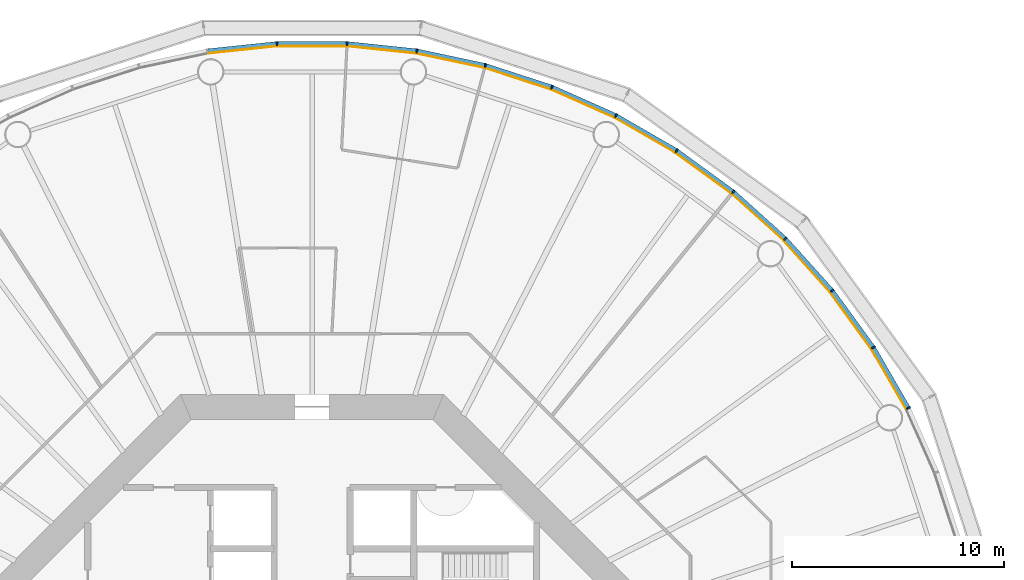
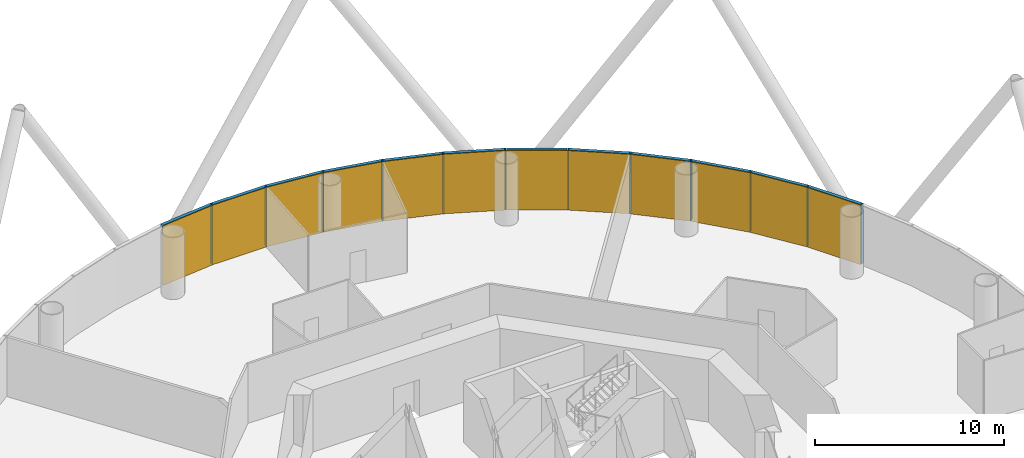
# One storey, part 12 of 13: 24 members, 4 curtain walls.
"""IFC4 building model written with IfcOpenShell, lengths in metres."""

from ifc_helpers import new_model, si_unit, direction, frame, origin, origin_2d, place, context, subcontext, project, spatial, polyline, rectangle, outline, extrude, material, layer, layer_set, material_profile, profile_set, type_object, element, aggregate, save


model = new_model("IFC4")

# Units and contexts
model_context = context("Model", 3, precision=1e-05, world=origin(), true_north=direction((0.0, 1.0)))
body_context = subcontext(model_context, "Body", "Model", "MODEL_VIEW")
ifc_project = project(units=[si_unit("LENGTHUNIT", "METRE"), si_unit("AREAUNIT", "SQUARE_METRE"), si_unit("VOLUMEUNIT", "CUBIC_METRE"), si_unit("PLANEANGLEUNIT", "RADIAN"), si_unit("MASSUNIT", "GRAM", prefix="KILO")], contexts=[model_context])

# Member
ifc_material_1 = material(Name="Anodised aluminium", Category="aluminium")
ifc_material_profile_1 = material_profile(ifc_material_1, rectangle(XDim=0.070068359375, YDim=0.199951171875, at=origin_2d()), Name="Mullion 70 x 200 mm anodised aluminium")
ifc_profile_set_1 = profile_set([ifc_material_profile_1], Name="Anodised aluminium")
member_type_1 = type_object("IfcMemberType", Name="Mullion 70 x 200 mm anodised aluminium", PredefinedType="MULLION", material=ifc_profile_set_1)
site_placement = place(None, origin())
building_placement = place(site_placement, origin())
storey_placement = place(building_placement, frame((0.0, 0.0, 116.0)))
member_1_placement = place(storey_placement, frame((118.15576171875, 94.34619140625, 0.0), z_axis=(0.0, 0.0, 1.0), x_axis=(-0.45399049974, 0.891006524188, 0.0)))
member_1 = element("IfcMember", 1, at=member_1_placement, type_object=member_type_1, Name="MULLION L26-03", PredefinedType="MULLION", context=body_context, shape_type="SweptSolid", body=[
    extrude(rectangle(XDim=0.070068359375, YDim=0.199951171875, at=origin_2d()), origin(), (0.0, 0.0, 1.0), 3.85009765625),
])

member_2_placement = place(storey_placement, frame((116.501953125, 97.210693359375, 0.0), z_axis=(0.0, 0.0, 1.0), x_axis=(-0.544639035015, 0.838670567945, 0.0)))
member_2 = element("IfcMember", 2, at=member_2_placement, type_object=member_type_1, Name="MULLION L26-04", PredefinedType="MULLION", context=body_context, shape_type="SweptSolid", body=[
    extrude(rectangle(XDim=0.070068359375, YDim=0.199951171875, at=origin_2d()), origin(), (0.0, 0.0, 1.0), 3.85009765625),
])

member_3_placement = place(storey_placement, frame((114.557861328125, 99.886474609375, 0.0), z_axis=(0.0, 0.0, 1.0), x_axis=(-0.62932039105, 0.777145961457, 0.0)))
member_3 = element("IfcMember", 3, at=member_3_placement, type_object=member_type_1, Name="MULLION L26-05", PredefinedType="MULLION", context=body_context, shape_type="SweptSolid", body=[
    extrude(rectangle(XDim=0.070068359375, YDim=0.199951171875, at=origin_2d()), origin(), (0.0, 0.0, 1.0), 3.85009765625),
])

member_4_placement = place(storey_placement, frame((112.344482421875, 102.344482421875, 0.0), z_axis=(0.0, 0.0, 1.0), x_axis=(-0.707106781187, 0.707106781187, 0.0)))
member_4 = element("IfcMember", 4, at=member_4_placement, type_object=member_type_1, Name="MULLION L26-06", PredefinedType="MULLION", context=body_context, shape_type="SweptSolid", body=[
    extrude(rectangle(XDim=0.070068359375, YDim=0.199951171875, at=origin_2d()), origin(), (0.0, 0.0, 1.0), 3.85009765625),
])

member_5_placement = place(storey_placement, frame((109.886474609375, 104.557861328125, 0.0), z_axis=(0.0, 0.0, 1.0), x_axis=(-0.777145961457, 0.62932039105, 0.0)))
member_5 = element("IfcMember", 5, at=member_5_placement, type_object=member_type_1, Name="MULLION L26-07", PredefinedType="MULLION", context=body_context, shape_type="SweptSolid", body=[
    extrude(rectangle(XDim=0.070068359375, YDim=0.199951171875, at=origin_2d()), origin(), (0.0, 0.0, 1.0), 3.85009765625),
])

member_6_placement = place(storey_placement, frame((107.210693359375, 106.501953125, 0.0), z_axis=(0.0, 0.0, 1.0), x_axis=(-0.838670567945, 0.544639035015, 0.0)))
member_6 = element("IfcMember", 6, at=member_6_placement, type_object=member_type_1, Name="MULLION L26-08", PredefinedType="MULLION", context=body_context, shape_type="SweptSolid", body=[
    extrude(rectangle(XDim=0.070068359375, YDim=0.199951171875, at=origin_2d()), origin(), (0.0, 0.0, 1.0), 3.85009765625),
])

member_7_placement = place(storey_placement, frame((104.34619140625, 108.15576171875, 0.0), z_axis=(0.0, 0.0, 1.0), x_axis=(-0.891006524188, 0.45399049974, 0.0)))
member_7 = element("IfcMember", 7, at=member_7_placement, type_object=member_type_1, Name="MULLION L26-09", PredefinedType="MULLION", context=body_context, shape_type="SweptSolid", body=[
    extrude(rectangle(XDim=0.070068359375, YDim=0.199951171875, at=origin_2d()), origin(), (0.0, 0.0, 1.0), 3.85009765625),
])

member_8_placement = place(storey_placement, frame((101.324462890625, 109.501220703125, 0.0), z_axis=(0.0, 0.0, 1.0), x_axis=(-0.933580426497, 0.358367949545, 0.0)))
member_8 = element("IfcMember", 8, at=member_8_placement, type_object=member_type_1, Name="MULLION L26-10", PredefinedType="MULLION", context=body_context, shape_type="SweptSolid", body=[
    extrude(rectangle(XDim=0.070068359375, YDim=0.199951171875, at=origin_2d()), origin(), (0.0, 0.0, 1.0), 3.85009765625),
])

member_9_placement = place(storey_placement, frame((98.1787109375, 110.523193359375, 0.0), z_axis=(0.0, 0.0, 1.0), x_axis=(-0.965925826289, 0.258819045103, 0.0)))
member_9 = element("IfcMember", 9, at=member_9_placement, type_object=member_type_1, Name="MULLION L26-11", PredefinedType="MULLION", context=body_context, shape_type="SweptSolid", body=[
    extrude(rectangle(XDim=0.070068359375, YDim=0.199951171875, at=origin_2d()), origin(), (0.0, 0.0, 1.0), 3.85009765625),
])

member_10_placement = place(storey_placement, frame((94.943359375, 111.2109375, 0.0), z_axis=(0.0, 0.0, 1.0), x_axis=(-0.987688340595, 0.15643446504, 0.0)))
member_10 = element("IfcMember", 10, at=member_10_placement, type_object=member_type_1, Name="MULLION L26-12", PredefinedType="MULLION", context=body_context, shape_type="SweptSolid", body=[
    extrude(rectangle(XDim=0.070068359375, YDim=0.199951171875, at=origin_2d()), origin(), (0.0, 0.0, 1.0), 3.85009765625),
])

member_11_placement = place(storey_placement, frame((91.65380859375, 111.556640625, 0.0), z_axis=(0.0, 0.0, 1.0), x_axis=(-0.998629534755, 0.052335956243, 0.0)))
member_11 = element("IfcMember", 11, at=member_11_placement, type_object=member_type_1, Name="MULLION L26-13", PredefinedType="MULLION", context=body_context, shape_type="SweptSolid", body=[
    extrude(rectangle(XDim=0.070068359375, YDim=0.199951171875, at=origin_2d()), origin(), (0.0, 0.0, 1.0), 3.85009765625),
])

member_12_placement = place(storey_placement, frame((88.34619140625, 111.556640625, 0.0), z_axis=(0.0, 0.0, 1.0), x_axis=(-0.998629534755, -0.052335956243, 0.0)))
member_12 = element("IfcMember", 12, at=member_12_placement, type_object=member_type_1, Name="MULLION L26-14", PredefinedType="MULLION", context=body_context, shape_type="SweptSolid", body=[
    extrude(rectangle(XDim=0.070068359375, YDim=0.199951171875, at=origin_2d()), origin(), (0.0, 0.0, 1.0), 3.85009765625),
])

ifc_material_2 = material(Name="Anodised aluminium", Category="aluminium")
ifc_material_profile_2 = material_profile(ifc_material_2, rectangle(XDim=0.199951171875, YDim=0.18994140625, at=origin_2d()), Name="Transom 190 x 200 mm anodised aluminium")
ifc_profile_set_2 = profile_set([ifc_material_profile_2], Name="Anodised aluminium")
member_type_2 = type_object("IfcMemberType", Name="Transom 190 x 200 mm anodised aluminium", PredefinedType="USERDEFINED", material=ifc_profile_set_2)
member_13_placement = place(storey_placement, frame((118.1357421875, 94.381103515625, 3.7548828125), z_axis=(-0.500004055213, 0.866023062494, 0.0), x_axis=(-0.866023062494, -0.500004055213, 0.0)))
member_13 = element("IfcMember", 13, at=member_13_placement, type_object=member_type_2, Name="TRANSOM L26-03", ObjectType="TRANSOM", PredefinedType="USERDEFINED", context=body_context, shape_type="SweptSolid", body=[
    extrude(rectangle(XDim=0.199951171875, YDim=0.18994140625, at=origin_2d()), origin(), (0.0, 0.0, 1.0), 3.22705078125),
])

member_14_placement = place(storey_placement, frame((116.478515625, 97.2431640625, 3.7548828125), z_axis=(-0.587802790201, 0.809004252048, 0.0), x_axis=(-0.809004252048, -0.587802790201, 0.0)))
member_14 = element("IfcMember", 14, at=member_14_placement, type_object=member_type_2, Name="TRANSOM L26-04", ObjectType="TRANSOM", PredefinedType="USERDEFINED", context=body_context, shape_type="SweptSolid", body=[
    extrude(rectangle(XDim=0.199951171875, YDim=0.18994140625, at=origin_2d()), origin(), (0.0, 0.0, 1.0), 3.227294921875),
])

member_15_placement = place(storey_placement, frame((114.531005859375, 99.91650390625, 3.7548828125), z_axis=(-0.669144438484, 0.743132370743, 0.0), x_axis=(-0.743132370743, -0.669144438484, 0.0)))
member_15 = element("IfcMember", 15, at=member_15_placement, type_object=member_type_2, Name="TRANSOM L26-05", ObjectType="TRANSOM", PredefinedType="USERDEFINED", context=body_context, shape_type="SweptSolid", body=[
    extrude(rectangle(XDim=0.199951171875, YDim=0.18994140625, at=origin_2d()), origin(), (0.0, 0.0, 1.0), 3.22705078125),
])

member_16_placement = place(storey_placement, frame((112.314697265625, 102.37158203125, 3.7548828125), z_axis=(-0.743132370743, 0.669144438484, 0.0), x_axis=(-0.669144438484, -0.743132370743, 0.0)))
member_16 = element("IfcMember", 16, at=member_16_placement, type_object=member_type_2, Name="TRANSOM L26-06", ObjectType="TRANSOM", PredefinedType="USERDEFINED", context=body_context, shape_type="SweptSolid", body=[
    extrude(rectangle(XDim=0.199951171875, YDim=0.18994140625, at=origin_2d()), origin(), (0.0, 0.0, 1.0), 3.22705078125),
])

member_17_placement = place(storey_placement, frame((109.85400390625, 104.58154296875, 3.7548828125), z_axis=(-0.809004252048, 0.587802790201, 0.0), x_axis=(-0.587802790201, -0.809004252048, 0.0)))
member_17 = element("IfcMember", 17, at=member_17_placement, type_object=member_type_2, Name="TRANSOM L26-07", ObjectType="TRANSOM", PredefinedType="USERDEFINED", context=body_context, shape_type="SweptSolid", body=[
    extrude(rectangle(XDim=0.199951171875, YDim=0.18994140625, at=origin_2d()), origin(), (0.0, 0.0, 1.0), 3.227294921875),
])

member_18_placement = place(storey_placement, frame((107.17578125, 106.522216796875, 3.7548828125), z_axis=(-0.866023062494, 0.500004055213, 0.0), x_axis=(-0.500004055213, -0.866023062494, 0.0)))
member_18 = element("IfcMember", 18, at=member_18_placement, type_object=member_type_2, Name="TRANSOM L26-08", ObjectType="TRANSOM", PredefinedType="USERDEFINED", context=body_context, shape_type="SweptSolid", body=[
    extrude(rectangle(XDim=0.199951171875, YDim=0.18994140625, at=origin_2d()), origin(), (0.0, 0.0, 1.0), 3.22705078125),
])

member_19_placement = place(storey_placement, frame((104.309326171875, 108.17236328125, 3.7548828125), z_axis=(-0.913549291349, 0.406728032322, 0.0), x_axis=(-0.406728032322, -0.913549291349, 0.0)))
member_19 = element("IfcMember", 19, at=member_19_placement, type_object=member_type_2, Name="TRANSOM L26-09", ObjectType="TRANSOM", PredefinedType="USERDEFINED", context=body_context, shape_type="SweptSolid", body=[
    extrude(rectangle(XDim=0.199951171875, YDim=0.18994140625, at=origin_2d()), origin(), (0.0, 0.0, 1.0), 3.22705078125),
])

member_20_placement = place(storey_placement, frame((101.2861328125, 109.513671875, 3.7548828125), z_axis=(-0.951046855117, 0.309046726844, 0.0), x_axis=(-0.309046726844, -0.951046855117, 0.0)))
member_20 = element("IfcMember", 20, at=member_20_placement, type_object=member_type_2, Name="TRANSOM L26-10", ObjectType="TRANSOM", PredefinedType="USERDEFINED", context=body_context, shape_type="SweptSolid", body=[
    extrude(rectangle(XDim=0.199951171875, YDim=0.18994140625, at=origin_2d()), origin(), (0.0, 0.0, 1.0), 3.22705078125),
])

member_21_placement = place(storey_placement, frame((98.139404296875, 110.53173828125, 3.7548828125), z_axis=(-0.978153082647, 0.207885898771, 0.0), x_axis=(-0.207885898771, -0.978153082647, 0.0)))
member_21 = element("IfcMember", 21, at=member_21_placement, type_object=member_type_2, Name="TRANSOM L26-11", ObjectType="TRANSOM", PredefinedType="USERDEFINED", context=body_context, shape_type="SweptSolid", body=[
    extrude(rectangle(XDim=0.199951171875, YDim=0.18994140625, at=origin_2d()), origin(), (0.0, 0.0, 1.0), 3.227294921875),
])

member_22_placement = place(storey_placement, frame((94.9033203125, 111.21533203125, 3.7548828125), z_axis=(-0.994519537956, 0.104550890115, 0.0), x_axis=(-0.104550890115, -0.994519537956, 0.0)))
member_22 = element("IfcMember", 22, at=member_22_placement, type_object=member_type_2, Name="TRANSOM L26-12", ObjectType="TRANSOM", PredefinedType="USERDEFINED", context=body_context, shape_type="SweptSolid", body=[
    extrude(rectangle(XDim=0.199951171875, YDim=0.18994140625, at=origin_2d()), origin(), (0.0, 0.0, 1.0), 3.22705078125),
])

member_23_placement = place(storey_placement, frame((91.613525390625, 111.556884765625, 3.7548828125), z_axis=(-1.0, 0.0, 0.0), x_axis=(0.0, -1.0, 0.0)))
member_23 = element("IfcMember", 23, at=member_23_placement, type_object=member_type_2, Name="TRANSOM L26-13", ObjectType="TRANSOM", PredefinedType="USERDEFINED", context=body_context, shape_type="SweptSolid", body=[
    extrude(rectangle(XDim=0.199951171875, YDim=0.18994140625, at=origin_2d()), origin(), (0.0, 0.0, 1.0), 3.22705078125),
])

member_24_placement = place(storey_placement, frame((88.30615234375, 111.552734375, 3.7548828125), z_axis=(-0.994519537956, -0.104550890115, 0.0), x_axis=(0.104550890115, -0.994519537956, 0.0)))
member_24 = element("IfcMember", 24, at=member_24_placement, type_object=member_type_2, Name="TRANSOM L26-14", ObjectType="TRANSOM", PredefinedType="USERDEFINED", context=body_context, shape_type="SweptSolid", body=[
    extrude(rectangle(XDim=0.199951171875, YDim=0.18994140625, at=origin_2d()), origin(), (0.0, 0.0, 1.0), 3.22705078125),
])

# Site, building, storey
site = spatial("IfcSite", under=ifc_project, at=site_placement, CompositionType="ELEMENT")
building = spatial("IfcBuilding", under=site, at=building_placement, Name="Entoto Ring Tower", CompositionType="ELEMENT")
storey = spatial("IfcBuildingStorey", under=building, at=storey_placement, Name="L26", CompositionType="ELEMENT", Elevation=116.0)

# Curtain wall
ifc_material_3 = material(Name="Clear low-iron glass", Category="glass")
ifc_layer = layer(ifc_material_3, 0.035888671875)
ifc_layer_set = layer_set([ifc_layer], Name="Clear low-iron glass")
curtain_wall_type = type_object("IfcCurtainWallType", Name="Curtain wall system CW2 glazing 36 mm", PredefinedType="NOTDEFINED", material=ifc_layer_set)
curtain_wall_1_placement = place(storey_placement, origin())
curtain_wall_1 = element("IfcCurtainWall", 25, at=curtain_wall_1_placement, inside=storey, type_object=curtain_wall_type, Name="CW2 L26-02", PredefinedType="NOTDEFINED", context=body_context, shape_type="SweptSolid", body=[
    extrude(outline(polyline([(118.066650390625, 94.30078125), (116.418212890625, 97.15625), (114.47998046875, 99.823486328125), (112.27392578125, 102.27392578125), (112.248291015625, 102.248291015625), (114.4521484375, 99.801025390625), (116.387939453125, 97.136474609375), (118.03466796875, 94.284423828125), (118.066650390625, 94.30078125)])), origin(), (0.0, 0.0, 1.0), 3.85009765625),
])

aggregate(curtain_wall_1, [member_1, member_2, member_3, member_13, member_14, member_15])

curtain_wall_2_placement = place(storey_placement, origin())
curtain_wall_2 = element("IfcCurtainWall", 26, at=curtain_wall_2_placement, inside=storey, type_object=curtain_wall_type, Name="CW2 L26-03", PredefinedType="NOTDEFINED", context=body_context, shape_type="SweptSolid", body=[
    extrude(outline(polyline([(112.27392578125, 102.27392578125), (109.823486328125, 104.47998046875), (107.15625, 106.418212890625), (104.30078125, 108.066650390625), (104.284423828125, 108.03466796875), (107.136474609375, 106.387939453125), (109.801025390625, 104.4521484375), (112.248291015625, 102.248291015625), (112.27392578125, 102.27392578125)])), origin(), (0.0, 0.0, 1.0), 3.85009765625),
])

aggregate(curtain_wall_2, [member_4, member_5, member_6, member_16, member_17, member_18])

curtain_wall_3_placement = place(storey_placement, origin())
curtain_wall_3 = element("IfcCurtainWall", 27, at=curtain_wall_3_placement, inside=storey, type_object=curtain_wall_type, Name="CW2 L26-04", PredefinedType="NOTDEFINED", context=body_context, shape_type="SweptSolid", body=[
    extrude(outline(polyline([(104.30078125, 108.066650390625), (101.28857421875, 109.40771484375), (98.15283203125, 110.4267578125), (94.927734375, 111.1123046875), (94.922119140625, 111.07666015625), (98.1435546875, 110.391845703125), (101.275634765625, 109.3740234375), (104.284423828125, 108.03466796875), (104.30078125, 108.066650390625)])), origin(), (0.0, 0.0, 1.0), 3.85009765625),
])

aggregate(curtain_wall_3, [member_7, member_8, member_9, member_19, member_20, member_21])

curtain_wall_4_placement = place(storey_placement, origin())
curtain_wall_4 = element("IfcCurtainWall", 28, at=curtain_wall_4_placement, inside=storey, type_object=curtain_wall_type, Name="CW2 L26-05", PredefinedType="NOTDEFINED", context=body_context, shape_type="SweptSolid", body=[
    extrude(outline(polyline([(94.927734375, 111.1123046875), (91.648681640625, 111.456787109375), (88.351318359375, 111.456787109375), (85.072265625, 111.1123046875), (85.077880859375, 111.07666015625), (88.353271484375, 111.4208984375), (91.646728515625, 111.4208984375), (94.922119140625, 111.07666015625), (94.927734375, 111.1123046875)])), origin(), (0.0, 0.0, 1.0), 3.85009765625),
])

aggregate(curtain_wall_4, [member_10, member_11, member_12, member_22, member_23, member_24])

save(model, "model.ifc")
